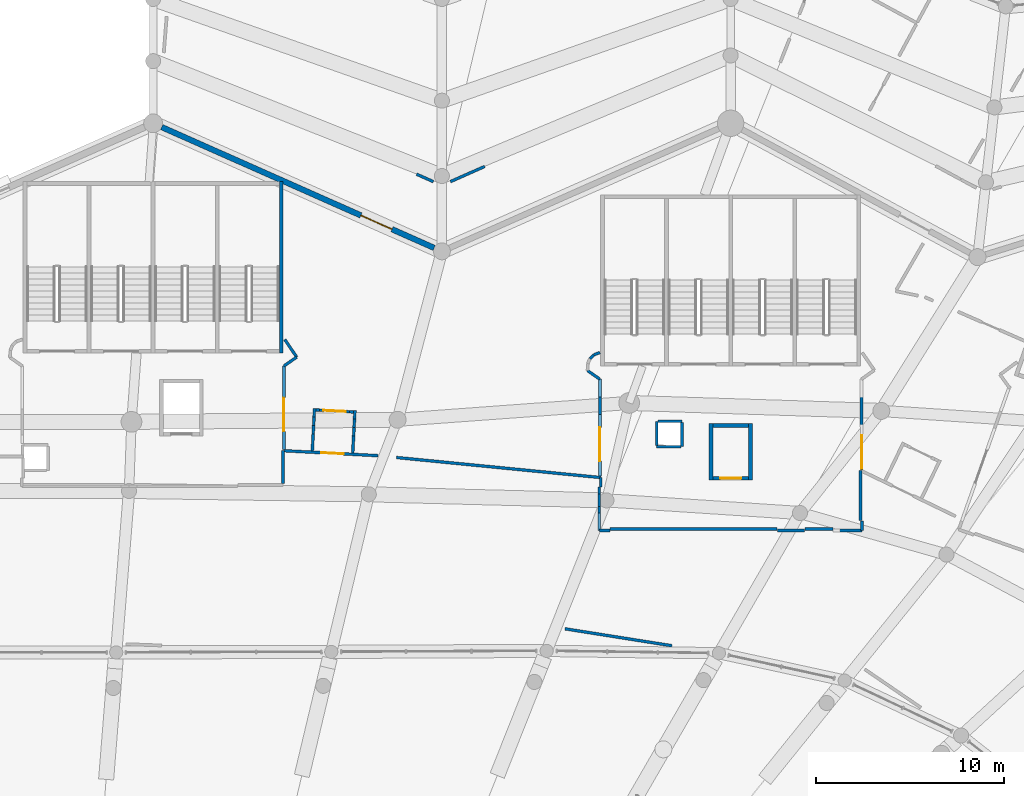
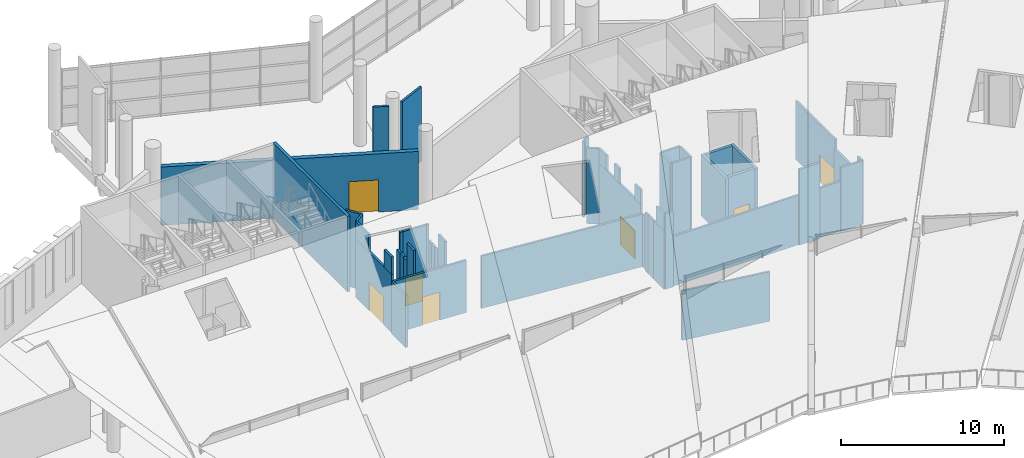
# One storey, part 174 of 249: 52 walls, 7 doors, 7 openings.
"""IFC4 building model written with IfcOpenShell, lengths in metres."""

from ifc_helpers import new_model, si_unit, direction, frame, frame_2d, origin, place, context, subcontext, project, spatial, rectangle, extrude, material, layer, layer_set, type_object, element, fill, save


model = new_model("IFC4")

# Units and contexts
model_context = context("Model", 3, precision=1e-05, world=origin(), true_north=direction((0.0, 1.0)))
body_context = subcontext(model_context, "Body", "Model", "MODEL_VIEW")
ifc_project = project(units=[si_unit("LENGTHUNIT", "METRE"), si_unit("AREAUNIT", "SQUARE_METRE"), si_unit("VOLUMEUNIT", "CUBIC_METRE"), si_unit("PLANEANGLEUNIT", "RADIAN"), si_unit("MASSUNIT", "GRAM", prefix="KILO")], contexts=[model_context])

# Site, building, storey
site_placement = place(None, origin())
site = spatial("IfcSite", under=ifc_project, at=site_placement, CompositionType="ELEMENT")
building_placement = place(site_placement, origin())
building = spatial("IfcBuilding", under=site, at=building_placement, Name="Meseta Stadium", CompositionType="ELEMENT")
storey_placement = place(building_placement, frame((0.0, 0.0, 12.0)))
storey = spatial("IfcBuildingStorey", under=building, at=storey_placement, Name="L02", CompositionType="ELEMENT", Elevation=12.0)

# Walls
ifc_material_1 = material(Name="Concrete C40/50", Category="concrete")
ifc_layer_1 = layer(ifc_material_1, 0.199951171875)
ifc_layer_set_1 = layer_set([ifc_layer_1], Name="Core shaft wall 200")
wall_type_1 = type_object("IfcWallType", Name="Core shaft wall 200", PredefinedType="SHEAR", material=ifc_layer_set_1)
for number, where, z_axis, x_axis, name in (
    (1, (39.38330078125, 89.451171875, 0.0), (0.0, 0.0, 1.0), (0.0, -1.0, 0.0), "Core 09 L02 lift shaft wall left"),
    (2, (37.283203125, 89.451171875, 0.0), (0.0, 0.0, 1.0), (0.0, -1.0, 0.0), "Core 09 L02 lift shaft wall right"),
):
    element("IfcWall", number, at=place(storey_placement, frame(where, z_axis=z_axis, x_axis=x_axis)), inside=storey, type_object=wall_type_1, Name=name, PredefinedType="SHEAR", context=body_context, shape_type="SweptSolid", body=[
        extrude(rectangle(XDim=3.0, YDim=0.199951171875, at=frame_2d((1.5, 0.0))), origin(), (0.0, 0.0, 1.0), 4.60009765625),
    ])
wall_1_placement = place(storey_placement, frame((39.283203125, 89.35107421875, 0.0), z_axis=(0.0, 0.0, 1.0), x_axis=(-1.0, 0.0, 0.0)))
element("IfcWall", 3, at=wall_1_placement, inside=storey, type_object=wall_type_1, Name="Core 09 L02 lift shaft back wall", PredefinedType="SHEAR", context=body_context, shape_type="SweptSolid", body=[
    extrude(rectangle(XDim=1.89990234375, YDim=0.199951171875, at=frame_2d((0.949951171875, 0.0))), origin(), (0.0, 0.0, 1.0), 4.60009765625),
])

# Wall, opening, door
wall_2_placement = place(storey_placement, frame((39.283203125, 86.551025390625, 0.0), z_axis=(0.0, 0.0, 1.0), x_axis=(-1.0, 0.0, 0.0)))
wall_2 = element("IfcWall", 4, at=wall_2_placement, inside=storey, type_object=wall_type_1, Name="Core 09 L02 lift shaft front wall", PredefinedType="SHEAR", context=body_context, shape_type="SweptSolid", body=[
    extrude(rectangle(XDim=1.89990234375, YDim=0.199951171875, at=frame_2d((0.949951171875, 0.0))), origin(), (0.0, 0.0, 1.0), 4.60009765625),
])
opening_1_placement = place(wall_2_placement, frame((0.39990234375, 0.0, 0.0)))
opening_1 = element("IfcOpeningElement", 5, at=opening_1_placement, cuts=wall_2, Name="Opening LD50", PredefinedType="OPENING", context=body_context, shape_type="SweptSolid", body=[
    extrude(rectangle(XDim=1.10009765625, YDim=2.10009765625, at=frame_2d((0.550048828125, 1.050048828125))), frame((0.0, 0.10986328125, 0.0), z_axis=(0.0, -1.0, 0.0), x_axis=(1.0, 0.0, 0.0)), (0.0, 0.0, 1.0), 0.219970703125),
])
ifc_material_2 = material(Name="Steel", Category="steel")
door_type_1 = type_object("IfcDoorType", Name="Lift landing door 1100x2100", OperationType="SLIDING_TO_LEFT", PredefinedType="DOOR", material=ifc_material_2)
door_1_placement = place(opening_1_placement, origin())
door_1 = element("IfcDoor", 6, at=door_1_placement, inside=storey, type_object=door_type_1, Name="Lift landing door LD50", OperationType="SLIDING_TO_RIGHT", OverallHeight=2.10009765625, OverallWidth=1.10009765625, PredefinedType="DOOR", context=body_context, shape_type="SweptSolid", body=[
    extrude(rectangle(XDim=1.10009765625, YDim=2.10009765625, at=frame_2d((0.550048828125, 1.050048828125))), frame((0.0, 0.02490234375, 0.0), z_axis=(0.0, -1.0, 0.0), x_axis=(1.0, 0.0, 0.0)), (0.0, 0.0, 1.0), 0.050048828125),
])
fill(opening_1, door_1)

# Walls
wall_3_placement = place(storey_placement, frame((14.466796875, 102.300048828125, 0.0), z_axis=(0.0, 0.0, 1.0), x_axis=(0.0, -1.0, 0.0)))
element("IfcWall", 7, at=wall_3_placement, inside=storey, type_object=wall_type_1, Name="Core 10 L02 stair wall A-side", PredefinedType="SHEAR", context=body_context, shape_type="SweptSolid", body=[
    extrude(rectangle(XDim=9.10009765625, YDim=0.199951171875, at=frame_2d((4.550048828125, 0.0))), origin(), (0.0, 0.0, 1.0), 5.64990234375),
])
ifc_material_3 = material(Name="Masonry blockwork", Category="masonry")
ifc_layer_2 = layer(ifc_material_3, 0.14990234375)
ifc_layer_set_2 = layer_set([ifc_layer_2], Name="Partition 150")
wall_type_2 = type_object("IfcWallType", Name="Partition 150", PredefinedType="PARTITIONING", material=ifc_layer_set_2)
wall_4_placement = place(storey_placement, frame((35.210693359375, 77.658203125, 0.0), z_axis=(0.0, 0.0, 1.0), x_axis=(-0.987660465211, 0.156610361914, 0.0)))
element("IfcWall", 8, at=wall_4_placement, inside=storey, type_object=wall_type_2, Name="Partition L02 L02-cell07-0-0", PredefinedType="PARTITIONING", context=body_context, shape_type="SweptSolid", body=[
    extrude(rectangle(XDim=5.747802734375, YDim=0.14990234375, at=frame_2d((2.8740234375, 0.0))), origin(), (0.0, 0.0, 1.0), 3.696533203125),
])
wall_5_placement = place(storey_placement, frame((31.92626953125, 83.85107421875, 0.0), z_axis=(0.0, 0.0, 1.0), x_axis=(1.0, 0.0, 0.0)))
element("IfcWall", 9, at=wall_5_placement, inside=storey, type_object=wall_type_2, Name="Partition L02 L02-cell07-0-0", PredefinedType="PARTITIONING", context=body_context, shape_type="SweptSolid", body=[
    extrude(rectangle(XDim=8.871337890625, YDim=0.14990234375, at=frame_2d((4.435546875, 0.0))), origin(), (0.0, 0.0, 1.0), 3.696533203125),
])
wall_6_placement = place(storey_placement, frame((42.276123046875, 83.85107421875, 0.0), z_axis=(0.0, 0.0, 1.0), x_axis=(1.0, 0.0, 0.0)))
element("IfcWall", 10, at=wall_6_placement, inside=storey, type_object=wall_type_2, Name="Partition L02 L02-cell07-0-0", PredefinedType="PARTITIONING", context=body_context, shape_type="SweptSolid", body=[
    extrude(rectangle(XDim=1.478759765625, YDim=0.14990234375, at=frame_2d((0.7392578125, 0.0))), origin(), (0.0, 0.0, 1.0), 3.696533203125),
])
wall_7_placement = place(storey_placement, frame((45.2333984375, 84.29638671875, 0.0), z_axis=(0.0, 0.0, 1.0), x_axis=(0.0, 1.0, 0.0)))
element("IfcWall", 11, at=wall_7_placement, inside=storey, type_object=wall_type_2, Name="Partition L02 L02-cell07-0-0", PredefinedType="PARTITIONING", context=body_context, shape_type="SweptSolid", body=[
    extrude(rectangle(XDim=2.671142578125, YDim=0.14990234375, at=frame_2d((1.33544921875, 0.0))), origin(), (0.0, 0.0, 1.0), 3.696533203125),
])
wall_8_placement = place(storey_placement, frame((14.566650390625, 86.27490234375, 0.0), z_axis=(0.0, 0.0, 1.0), x_axis=(0.0, 1.0, 0.0)))
element("IfcWall", 12, at=wall_8_placement, inside=storey, type_object=wall_type_2, Name="Partition L02 L02-cell08-0-0", PredefinedType="PARTITIONING", context=body_context, shape_type="SweptSolid", body=[
    extrude(rectangle(XDim=1.740966796875, YDim=0.14990234375, at=frame_2d((0.87060546875, 0.0))), origin(), (0.0, 0.0, 1.0), 3.906982421875),
])

# Wall, opening, door
wall_9_placement = place(storey_placement, frame((14.6416015625, 88.01171875, 0.0), z_axis=(0.0, 0.0, 1.0), x_axis=(0.998613893233, -0.052633565738, 0.0)))
wall_9 = element("IfcWall", 13, at=wall_9_placement, inside=storey, type_object=wall_type_2, Name="Partition L02 L02-cell08-0-0", PredefinedType="PARTITIONING", context=body_context, shape_type="SweptSolid", body=[
    extrude(rectangle(XDim=4.972412109375, YDim=0.14990234375, at=frame_2d((2.486328125, 0.0))), origin(), (0.0, 0.0, 1.0), 3.906982421875),
])
opening_2_placement = place(wall_9_placement, frame((1.949951171875, 0.0, 0.0)))
opening_2 = element("IfcOpeningElement", 14, at=opening_2_placement, cuts=wall_9, Name="Opening D1127", PredefinedType="OPENING", context=body_context, shape_type="SweptSolid", body=[
    extrude(rectangle(XDim=1.199951171875, YDim=2.10009765625, at=frame_2d((0.60009765625, 1.050048828125))), frame((0.0, 0.0849609375, 0.0), z_axis=(0.0, -1.0, 0.0), x_axis=(1.0, 0.0, 0.0)), (0.0, 0.0, 1.0), 0.169921875),
])
ifc_material_4 = material(Name="Steel", Category="steel")
door_type_2 = type_object("IfcDoorType", Name="Fire door 1200x2100 EI2 60", OperationType="NOTDEFINED", PredefinedType="DOOR", material=ifc_material_4)
door_2_placement = place(opening_2_placement, origin())
door_2 = element("IfcDoor", 15, at=door_2_placement, inside=storey, type_object=door_type_2, Name="Room door L02 L02-cell08-0-0", OperationType="SINGLE_SWING_RIGHT", OverallHeight=2.10009765625, OverallWidth=1.199951171875, PredefinedType="DOOR", context=body_context, shape_type="SweptSolid", body=[
    extrude(rectangle(XDim=1.199951171875, YDim=2.10009765625, at=frame_2d((0.60009765625, 1.050048828125))), frame((0.0, 0.02490234375, 0.0), z_axis=(0.0, -1.0, 0.0), x_axis=(1.0, 0.0, 0.0)), (0.0, 0.0, 1.0), 0.050048828125),
])
fill(opening_2, door_2)

# Walls
wall_10_placement = place(storey_placement, frame((20.5927734375, 87.6533203125, 0.0), z_axis=(0.0, 0.0, 1.0), x_axis=(0.995211610703, -0.097743797362, 0.0)))
element("IfcWall", 16, at=wall_10_placement, inside=storey, type_object=wall_type_2, Name="Partition L02 L02-cell08-0-0", PredefinedType="PARTITIONING", context=body_context, shape_type="SweptSolid", body=[
    extrude(rectangle(XDim=10.892822265625, YDim=0.14990234375, at=frame_2d((5.4462890625, 0.0))), origin(), (0.0, 0.0, 1.0), 3.906982421875),
])
wall_11_placement = place(storey_placement, frame((31.433349609375, 86.588623046875, 0.0), z_axis=(0.0, 0.0, 1.0), x_axis=(0.0, -1.0, 0.0)))
element("IfcWall", 17, at=wall_11_placement, inside=storey, type_object=wall_type_2, Name="Partition L02 L02-cell08-0-0", PredefinedType="PARTITIONING", context=body_context, shape_type="SweptSolid", body=[
    extrude(rectangle(XDim=0.48974609375, YDim=0.14990234375, at=frame_2d((0.244873046875, 0.0))), origin(), (0.0, 0.0, 1.0), 3.906982421875),
])
wall_12_placement = place(storey_placement, frame((25.275634765625, 103.10986328125, 0.0), z_axis=(0.0, 0.0, 1.0), x_axis=(-0.914139836341, -0.405399012844, 0.0)))
element("IfcWall", 18, at=wall_12_placement, inside=storey, type_object=wall_type_2, Name="Partition L02 L02-ring08-0", PredefinedType="PARTITIONING", context=body_context, shape_type="SweptSolid", body=[
    extrude(rectangle(XDim=1.991455078125, YDim=0.14990234375, at=frame_2d((0.99560546875, 0.0))), origin(), (0.0, 0.0, 1.0), 5.550048828125),
])
wall_13_placement = place(storey_placement, frame((22.551513671875, 102.299560546875, 0.0), z_axis=(0.0, 0.0, 1.0), x_axis=(-0.914119005748, 0.405445980781, 0.0)))
element("IfcWall", 19, at=wall_13_placement, inside=storey, type_object=wall_type_2, Name="Partition L02 L02-ring08-0", PredefinedType="PARTITIONING", context=body_context, shape_type="SweptSolid", body=[
    extrude(rectangle(XDim=0.9814453125, YDim=0.14990234375, at=frame_2d((0.49072265625, 0.0))), origin(), (0.0, 0.0, 1.0), 5.550048828125),
])
wall_14_placement = place(storey_placement, frame((35.75830078125, 89.576171875, 0.0), z_axis=(0.0, 0.0, 1.0), x_axis=(-1.0, 0.0, 0.0)))
element("IfcWall", 20, at=wall_14_placement, inside=storey, type_object=wall_type_2, Name="Pressurisation shaft wall L02 core 09", PredefinedType="PARTITIONING", context=body_context, shape_type="SweptSolid", body=[
    extrude(rectangle(XDim=1.27490234375, YDim=0.14990234375, at=frame_2d((0.637451171875, 0.0))), origin(), (0.0, 0.0, 1.0), 5.64990234375),
])
for number, where, z_axis, x_axis, name in (
    (21, (34.408203125, 89.576171875, 0.0), (0.0, 0.0, 1.0), (0.0, -1.0, 0.0), "Pressurisation shaft wall L02 core 09"),
    (22, (34.408203125, 88.22607421875, 0.0), (0.0, 0.0, 1.0), (1.0, 0.0, 0.0), "Pressurisation shaft wall L02 core 09"),
    (23, (35.75830078125, 88.22607421875, 0.0), (0.0, 0.0, 1.0), (0.0, 1.0, 0.0), "Pressurisation shaft wall L02 core 09"),
):
    element("IfcWall", number, at=place(storey_placement, frame(where, z_axis=z_axis, x_axis=x_axis)), inside=storey, type_object=wall_type_2, Name=name, PredefinedType="PARTITIONING", context=body_context, shape_type="SweptSolid", body=[
        extrude(rectangle(XDim=1.275146484375, YDim=0.14990234375, at=frame_2d((0.6376953125, 0.0))), origin(), (0.0, 0.0, 1.0), 5.64990234375),
    ])
wall_15_placement = place(storey_placement, frame((31.394775390625, 93.228759765625, 0.0), z_axis=(0.0, 0.0, 1.0), x_axis=(-0.937674325327, -0.347515265308, 0.0)))
element("IfcWall", 24, at=wall_15_placement, inside=storey, type_object=wall_type_2, Name="Stair vestibule wall L02 core 09", PredefinedType="PARTITIONING", context=body_context, shape_type="SweptSolid", body=[
    extrude(rectangle(XDim=0.356201171875, YDim=0.14990234375, at=frame_2d((0.17822265625, 0.0))), origin(), (0.0, 0.0, 1.0), 5.64990234375),
])
wall_16_placement = place(storey_placement, frame((31.060791015625, 93.10498046875, 0.0), z_axis=(0.0, 0.0, 1.0), x_axis=(-0.707534941396, -0.706678361564, 0.0)))
element("IfcWall", 25, at=wall_16_placement, inside=storey, type_object=wall_type_2, Name="Stair vestibule wall L02 core 09", PredefinedType="PARTITIONING", context=body_context, shape_type="SweptSolid", body=[
    extrude(rectangle(XDim=0.284912109375, YDim=0.14990234375, at=frame_2d((0.142578125, 0.0))), origin(), (0.0, 0.0, 1.0), 5.64990234375),
])
wall_17_placement = place(storey_placement, frame((30.73681640625, 92.267822265625, 0.0), z_axis=(0.0, 0.0, 1.0), x_axis=(0.817731616096, -0.57559969079, 0.0)))
element("IfcWall", 26, at=wall_17_placement, inside=storey, type_object=wall_type_2, Name="Stair vestibule wall L02 core 09", PredefinedType="PARTITIONING", context=body_context, shape_type="SweptSolid", body=[
    extrude(rectangle(XDim=0.796630859375, YDim=0.14990234375, at=frame_2d((0.3984375, 0.0))), origin(), (0.0, 0.0, 1.0), 5.64990234375),
])

# Wall, opening, door
wall_18_placement = place(storey_placement, frame((31.38818359375, 91.809326171875, 0.0), z_axis=(0.0, 0.0, 1.0), x_axis=(0.0, -1.0, 0.0)))
wall_18 = element("IfcWall", 27, at=wall_18_placement, inside=storey, type_object=wall_type_2, Name="Stair vestibule wall L02 core 09", PredefinedType="PARTITIONING", context=body_context, shape_type="SweptSolid", body=[
    extrude(rectangle(XDim=5.132568359375, YDim=0.14990234375, at=frame_2d((2.56640625, 0.0))), origin(), (0.0, 0.0, 1.0), 4.550048828125),
])
opening_3_placement = place(wall_18_placement, frame((2.550048828125, 0.0, 0.0)))
opening_3 = element("IfcOpeningElement", 28, at=opening_3_placement, cuts=wall_18, Name="Opening D1137", PredefinedType="OPENING", context=body_context, shape_type="SweptSolid", body=[
    extrude(rectangle(XDim=1.800048828125, YDim=2.10009765625, at=frame_2d((0.89990234375, 1.050048828125))), frame((0.0, 0.0849609375, 0.0), z_axis=(0.0, -1.0, 0.0), x_axis=(1.0, 0.0, 0.0)), (0.0, 0.0, 1.0), 0.169921875),
])
ifc_material_5 = material(Name="Steel", Category="steel")
door_type_3 = type_object("IfcDoorType", Name="Fire double door 1800x2100 EI2 60", OperationType="DOUBLE_DOOR_SINGLE_SWING", PredefinedType="DOOR", material=ifc_material_5)
door_3_placement = place(opening_3_placement, origin())
door_3 = element("IfcDoor", 29, at=door_3_placement, inside=storey, type_object=door_type_3, Name="Stair vestibule door L02 core 09", OperationType="DOUBLE_DOOR_SINGLE_SWING", OverallHeight=2.10009765625, OverallWidth=1.800048828125, PredefinedType="DOOR", context=body_context, shape_type="SweptSolid", body=[
    extrude(rectangle(XDim=1.800048828125, YDim=2.10009765625, at=frame_2d((0.89990234375, 1.050048828125))), frame((0.0, 0.02490234375, 0.0), z_axis=(0.0, -1.0, 0.0), x_axis=(1.0, 0.0, 0.0)), (0.0, 0.0, 1.0), 0.050048828125),
])
fill(opening_3, door_3)

# Walls
wall_19_placement = place(storey_placement, frame((31.38818359375, 91.809326171875, 4.550048828125), z_axis=(0.0, 0.0, 1.0), x_axis=(0.0, -1.0, 0.0)))
element("IfcWall", 30, at=wall_19_placement, inside=storey, type_object=wall_type_2, Name="Stair vestibule wall L02 core 09", PredefinedType="PARTITIONING", context=body_context, shape_type="SweptSolid", body=[
    extrude(rectangle(XDim=0.934814453125, YDim=0.14990234375, at=frame_2d((0.46728515625, 0.0))), origin(), (0.0, 0.0, 1.0), 1.099853515625),
])
wall_20_placement = place(storey_placement, frame((31.38818359375, 87.4091796875, 4.550048828125), z_axis=(0.0, 0.0, 1.0), x_axis=(0.0, -1.0, 0.0)))
element("IfcWall", 31, at=wall_20_placement, inside=storey, type_object=wall_type_2, Name="Stair vestibule wall L02 core 09", PredefinedType="PARTITIONING", context=body_context, shape_type="SweptSolid", body=[
    extrude(rectangle(XDim=0.732421875, YDim=0.14990234375, at=frame_2d((0.3662109375, 0.0))), origin(), (0.0, 0.0, 1.0), 1.099853515625),
])
wall_21_placement = place(storey_placement, frame((31.3583984375, 86.0888671875, 0.0), z_axis=(0.0, 0.0, 1.0), x_axis=(0.0, -1.0, 0.0)))
element("IfcWall", 32, at=wall_21_placement, inside=storey, type_object=wall_type_2, Name="Stair vestibule wall L02 core 09", PredefinedType="PARTITIONING", context=body_context, shape_type="SweptSolid", body=[
    extrude(rectangle(XDim=0.379638671875, YDim=0.14990234375, at=frame_2d((0.18994140625, 0.0))), origin(), (0.0, 0.0, 1.0), 4.35009765625),
])
wall_22_placement = place(storey_placement, frame((31.3583984375, 85.044189453125, 0.0), z_axis=(0.0, 0.0, 1.0), x_axis=(0.0, -1.0, 0.0)))
element("IfcWall", 33, at=wall_22_placement, inside=storey, type_object=wall_type_2, Name="Stair vestibule wall L02 core 09", PredefinedType="PARTITIONING", context=body_context, shape_type="SweptSolid", body=[
    extrude(rectangle(XDim=1.26806640625, YDim=0.14990234375, at=frame_2d((0.634033203125, 0.0))), origin(), (0.0, 0.0, 1.0), 4.35009765625),
])
wall_23_placement = place(storey_placement, frame((31.3583984375, 84.701171875, 4.35009765625), z_axis=(0.0, 0.0, 1.0), x_axis=(0.0, -1.0, 0.0)))
element("IfcWall", 34, at=wall_23_placement, inside=storey, type_object=wall_type_2, Name="Stair vestibule wall L02 core 09", PredefinedType="PARTITIONING", context=body_context, shape_type="SweptSolid", body=[
    extrude(rectangle(XDim=0.925048828125, YDim=0.14990234375, at=frame_2d((0.46240234375, 0.0))), origin(), (0.0, 0.0, 1.0), 1.2998046875),
])
wall_24_placement = place(storey_placement, frame((31.3583984375, 83.776123046875, 0.0), z_axis=(0.0, 0.0, 1.0), x_axis=(1.0, 0.0, 0.0)))
element("IfcWall", 35, at=wall_24_placement, inside=storey, type_object=wall_type_2, Name="Stair vestibule wall L02 core 09", PredefinedType="PARTITIONING", context=body_context, shape_type="SweptSolid", body=[
    extrude(rectangle(XDim=0.557861328125, YDim=0.14990234375, at=frame_2d((0.27880859375, 0.0))), origin(), (0.0, 0.0, 1.0), 5.64990234375),
])
wall_25_placement = place(storey_placement, frame((40.8076171875, 83.776123046875, 0.0), z_axis=(0.0, 0.0, 1.0), x_axis=(1.0, 0.0, 0.0)))
element("IfcWall", 36, at=wall_25_placement, inside=storey, type_object=wall_type_2, Name="Stair vestibule wall L02 core 09", PredefinedType="PARTITIONING", context=body_context, shape_type="SweptSolid", body=[
    extrude(rectangle(XDim=1.45849609375, YDim=0.14990234375, at=frame_2d((0.729248046875, 0.0))), origin(), (0.0, 0.0, 1.0), 5.64990234375),
])
wall_26_placement = place(storey_placement, frame((43.764892578125, 83.776123046875, 0.0), z_axis=(0.0, 0.0, 1.0), x_axis=(1.0, 0.0, 0.0)))
element("IfcWall", 37, at=wall_26_placement, inside=storey, type_object=wall_type_2, Name="Stair vestibule wall L02 core 09", PredefinedType="PARTITIONING", context=body_context, shape_type="SweptSolid", body=[
    extrude(rectangle(XDim=1.543701171875, YDim=0.14990234375, at=frame_2d((0.77197265625, 0.0))), origin(), (0.0, 0.0, 1.0), 4.75),
])
wall_27_placement = place(storey_placement, frame((45.30859375, 83.776123046875, 0.0), z_axis=(0.0, 0.0, 1.0), x_axis=(-0.003347661777, 0.999994396565, 0.0)))
element("IfcWall", 38, at=wall_27_placement, inside=storey, type_object=wall_type_2, Name="Stair vestibule wall L02 core 09", PredefinedType="PARTITIONING", context=body_context, shape_type="SweptSolid", body=[
    extrude(rectangle(XDim=0.510498046875, YDim=0.14990234375, at=frame_2d((0.25537109375, 0.0))), origin(), (0.0, 0.0, 1.0), 4.75),
])

# Wall, opening, door
wall_28_placement = place(storey_placement, frame((45.297607421875, 86.999755859375, 0.0), z_axis=(0.0, 0.0, 1.0), x_axis=(-0.003451580881, 0.999994043277, 0.0)))
wall_28 = element("IfcWall", 39, at=wall_28_placement, inside=storey, type_object=wall_type_2, Name="Stair vestibule wall L02 core 09", PredefinedType="PARTITIONING", context=body_context, shape_type="SweptSolid", body=[
    extrude(rectangle(XDim=4.809814453125, YDim=0.14990234375, at=frame_2d((2.40478515625, 0.0))), origin(), (0.0, 0.0, 1.0), 4.35009765625),
])
opening_4_placement = place(wall_28_placement, frame((0.050048828125, 0.0, 0.0)))
opening_4 = element("IfcOpeningElement", 40, at=opening_4_placement, cuts=wall_28, Name="Opening D1150", PredefinedType="OPENING", context=body_context, shape_type="SweptSolid", body=[
    extrude(rectangle(XDim=1.800048828125, YDim=2.10009765625, at=frame_2d((0.89990234375, 1.050048828125))), frame((0.0, 0.0849609375, 0.0), z_axis=(0.0, -1.0, 0.0), x_axis=(1.0, 0.0, 0.0)), (0.0, 0.0, 1.0), 0.169921875),
])
door_4_placement = place(opening_4_placement, origin())
door_4 = element("IfcDoor", 41, at=door_4_placement, inside=storey, type_object=door_type_3, Name="Stair vestibule door L02 core 09", OperationType="DOUBLE_DOOR_SINGLE_SWING", OverallHeight=2.10009765625, OverallWidth=1.800048828125, PredefinedType="DOOR", context=body_context, shape_type="SweptSolid", body=[
    extrude(rectangle(XDim=1.800048828125, YDim=2.10009765625, at=frame_2d((0.89990234375, 1.050048828125))), frame((0.0, 0.02490234375, 0.0), z_axis=(0.0, -1.0, 0.0), x_axis=(1.0, 0.0, 0.0)), (0.0, 0.0, 1.0), 0.050048828125),
])
fill(opening_4, door_4)

# Wall
wall_29_placement = place(storey_placement, frame((31.3583984375, 85.709228515625, 0.0), z_axis=(0.0, 0.0, 1.0), x_axis=(0.0, -1.0, 0.0)))
element("IfcWall", 42, at=wall_29_placement, inside=storey, type_object=wall_type_2, Name="Stair vestibule wall L02 core 09", PredefinedType="PARTITIONING", context=body_context, shape_type="SweptSolid", body=[
    extrude(rectangle(XDim=0.6650390625, YDim=0.14990234375, at=frame_2d((0.33251953125, 0.0))), origin(), (0.0, 0.0, 1.0), 4.35009765625),
])

# Wall, opening, door
wall_30_placement = place(storey_placement, frame((14.61181640625, 88.087646484375, 0.0), z_axis=(0.0, 0.0, 1.0), x_axis=(0.0, 1.0, 0.0)))
wall_30 = element("IfcWall", 43, at=wall_30_placement, inside=storey, type_object=wall_type_2, Name="Stair vestibule wall L02 core 10", PredefinedType="PARTITIONING", context=body_context, shape_type="SweptSolid", body=[
    extrude(rectangle(XDim=4.421630859375, YDim=0.14990234375, at=frame_2d((2.2109375, 0.0))), origin(), (0.0, 0.0, 1.0), 4.35009765625),
])
opening_5_placement = place(wall_30_placement, frame((0.949951171875, 0.0, 0.0)))
opening_5 = element("IfcOpeningElement", 44, at=opening_5_placement, cuts=wall_30, Name="Opening D1126", PredefinedType="OPENING", context=body_context, shape_type="SweptSolid", body=[
    extrude(rectangle(XDim=1.800048828125, YDim=2.10009765625, at=frame_2d((0.89990234375, 1.050048828125))), frame((0.0, 0.0849609375, 0.0), z_axis=(0.0, -1.0, 0.0), x_axis=(1.0, 0.0, 0.0)), (0.0, 0.0, 1.0), 0.169921875),
])
door_5_placement = place(opening_5_placement, origin())
door_5 = element("IfcDoor", 45, at=door_5_placement, inside=storey, type_object=door_type_3, Name="Stair vestibule door L02 core 10", OperationType="DOUBLE_DOOR_SINGLE_SWING", OverallHeight=2.10009765625, OverallWidth=1.800048828125, PredefinedType="DOOR", context=body_context, shape_type="SweptSolid", body=[
    extrude(rectangle(XDim=1.800048828125, YDim=2.10009765625, at=frame_2d((0.89990234375, 1.050048828125))), frame((0.0, 0.02490234375, 0.0), z_axis=(0.0, -1.0, 0.0), x_axis=(1.0, 0.0, 0.0)), (0.0, 0.0, 1.0), 0.050048828125),
])
fill(opening_5, door_5)

# Walls
wall_31_placement = place(storey_placement, frame((14.61181640625, 88.087646484375, 4.35009765625), z_axis=(0.0, 0.0, 1.0), x_axis=(0.0, 1.0, 0.0)))
element("IfcWall", 46, at=wall_31_placement, inside=storey, type_object=wall_type_2, Name="Stair vestibule wall L02 core 10", PredefinedType="PARTITIONING", context=body_context, shape_type="SweptSolid", body=[
    extrude(rectangle(XDim=0.9345703125, YDim=0.14990234375, at=frame_2d((0.46728515625, 0.0))), origin(), (0.0, 0.0, 1.0), 1.2998046875),
])
wall_32_placement = place(storey_placement, frame((14.61181640625, 90.8876953125, 4.35009765625), z_axis=(0.0, 0.0, 1.0), x_axis=(0.0, 1.0, 0.0)))
element("IfcWall", 47, at=wall_32_placement, inside=storey, type_object=wall_type_2, Name="Stair vestibule wall L02 core 10", PredefinedType="PARTITIONING", context=body_context, shape_type="SweptSolid", body=[
    extrude(rectangle(XDim=1.62158203125, YDim=0.14990234375, at=frame_2d((0.810791015625, 0.0))), origin(), (0.0, 0.0, 1.0), 1.2998046875),
])
wall_33_placement = place(storey_placement, frame((14.61181640625, 92.50927734375, 0.0), z_axis=(0.0, 0.0, 1.0), x_axis=(0.81774999294, 0.575573582652, 0.0)))
element("IfcWall", 48, at=wall_33_placement, inside=storey, type_object=wall_type_2, Name="Stair vestibule wall L02 core 10", PredefinedType="PARTITIONING", context=body_context, shape_type="SweptSolid", body=[
    extrude(rectangle(XDim=0.82958984375, YDim=0.14990234375, at=frame_2d((0.414794921875, 0.0))), origin(), (0.0, 0.0, 1.0), 5.64990234375),
])
wall_34_placement = place(storey_placement, frame((15.290283203125, 92.98681640625, 0.0), z_axis=(0.0, 0.0, 1.0), x_axis=(-0.562120553728, 0.827055308354, 0.0)))
element("IfcWall", 49, at=wall_34_placement, inside=storey, type_object=wall_type_2, Name="Stair vestibule wall L02 core 10", PredefinedType="PARTITIONING", context=body_context, shape_type="SweptSolid", body=[
    extrude(rectangle(XDim=1.1279296875, YDim=0.14990234375, at=frame_2d((0.56396484375, 0.0))), origin(), (0.0, 0.0, 1.0), 5.64990234375),
])
wall_35_placement = place(storey_placement, frame((16.11865234375, 88.009033203125, 0.0), z_axis=(0.0, 0.0, 1.0), x_axis=(0.052630027564, 0.998614079712, 0.0)))
element("IfcWall", 50, at=wall_35_placement, inside=storey, type_object=wall_type_2, Name="Partition L02 L02-cell08-0-0 vestibule", PredefinedType="PARTITIONING", context=body_context, shape_type="SweptSolid", body=[
    extrude(rectangle(XDim=0.89990234375, YDim=0.14990234375, at=frame_2d((0.449951171875, 0.0))), origin(), (0.0, 0.0, 1.0), 5.64990234375),
])
wall_36_placement = place(storey_placement, frame((16.166015625, 88.90771484375, 0.0), z_axis=(0.0, 0.0, 1.0), x_axis=(0.052615773272, 0.998614830855, 0.0)))
element("IfcWall", 51, at=wall_36_placement, inside=storey, type_object=wall_type_2, Name="Partition L02 L02-cell08-0-0 vestibule", PredefinedType="PARTITIONING", context=body_context, shape_type="SweptSolid", body=[
    extrude(rectangle(XDim=0.4501953125, YDim=0.14990234375, at=frame_2d((0.22509765625, 0.0))), origin(), (0.0, 0.0, 1.0), 4.35009765625),
])
wall_37_placement = place(storey_placement, frame((16.189697265625, 89.357177734375, 0.0), z_axis=(0.0, 0.0, 1.0), x_axis=(0.052644289572, 0.998613327958, 0.0)))
element("IfcWall", 52, at=wall_37_placement, inside=storey, type_object=wall_type_2, Name="Partition L02 L02-cell08-0-0 vestibule", PredefinedType="PARTITIONING", context=body_context, shape_type="SweptSolid", body=[
    extrude(rectangle(XDim=0.449951171875, YDim=0.14990234375, at=frame_2d((0.22509765625, 0.0))), origin(), (0.0, 0.0, 1.0), 4.35009765625),
])
wall_38_placement = place(storey_placement, frame((16.21337890625, 89.806396484375, 0.0), z_axis=(0.0, 0.0, 1.0), x_axis=(0.052615773272, 0.998614830855, 0.0)))
element("IfcWall", 53, at=wall_38_placement, inside=storey, type_object=wall_type_2, Name="Partition L02 L02-cell08-0-0 vestibule", PredefinedType="PARTITIONING", context=body_context, shape_type="SweptSolid", body=[
    extrude(rectangle(XDim=0.4501953125, YDim=0.14990234375, at=frame_2d((0.22509765625, 0.0))), origin(), (0.0, 0.0, 1.0), 4.35009765625),
])
wall_39_placement = place(storey_placement, frame((18.265625, 87.895751953125, 0.0), z_axis=(0.0, 0.0, 1.0), x_axis=(0.052615773272, 0.998614830855, 0.0)))
element("IfcWall", 54, at=wall_39_placement, inside=storey, type_object=wall_type_2, Name="Partition L02 L02-cell08-0-0 vestibule", PredefinedType="PARTITIONING", context=body_context, shape_type="SweptSolid", body=[
    extrude(rectangle(XDim=0.900146484375, YDim=0.14990234375, at=frame_2d((0.4501953125, 0.0))), origin(), (0.0, 0.0, 1.0), 5.64990234375),
])
wall_40_placement = place(storey_placement, frame((18.31298828125, 88.794677734375, 0.0), z_axis=(0.0, 0.0, 1.0), x_axis=(0.052644289572, 0.998613327958, 0.0)))
element("IfcWall", 55, at=wall_40_placement, inside=storey, type_object=wall_type_2, Name="Partition L02 L02-cell08-0-0 vestibule", PredefinedType="PARTITIONING", context=body_context, shape_type="SweptSolid", body=[
    extrude(rectangle(XDim=0.449951171875, YDim=0.14990234375, at=frame_2d((0.22509765625, 0.0))), origin(), (0.0, 0.0, 1.0), 4.35009765625),
])
wall_41_placement = place(storey_placement, frame((18.336669921875, 89.243896484375, 0.0), z_axis=(0.0, 0.0, 1.0), x_axis=(0.052615773272, 0.998614830855, 0.0)))
element("IfcWall", 56, at=wall_41_placement, inside=storey, type_object=wall_type_2, Name="Partition L02 L02-cell08-0-0 vestibule", PredefinedType="PARTITIONING", context=body_context, shape_type="SweptSolid", body=[
    extrude(rectangle(XDim=0.4501953125, YDim=0.14990234375, at=frame_2d((0.22509765625, 0.0))), origin(), (0.0, 0.0, 1.0), 4.35009765625),
])
wall_42_placement = place(storey_placement, frame((18.3603515625, 89.693359375, 0.0), z_axis=(0.0, 0.0, 1.0), x_axis=(0.052644289572, 0.998613327958, 0.0)))
element("IfcWall", 57, at=wall_42_placement, inside=storey, type_object=wall_type_2, Name="Partition L02 L02-cell08-0-0 vestibule", PredefinedType="PARTITIONING", context=body_context, shape_type="SweptSolid", body=[
    extrude(rectangle(XDim=0.449951171875, YDim=0.14990234375, at=frame_2d((0.22509765625, 0.0))), origin(), (0.0, 0.0, 1.0), 4.35009765625),
])
wall_43_placement = place(storey_placement, frame((16.30810546875, 90.177001953125, 0.0), z_axis=(0.0, 0.0, 1.0), x_axis=(0.998621199675, -0.05249475744, 0.0)))
element("IfcWall", 58, at=wall_43_placement, inside=storey, type_object=wall_type_2, Name="Partition L02 L02-cell08-0-0 vestibule", PredefinedType="PARTITIONING", context=body_context, shape_type="SweptSolid", body=[
    extrude(rectangle(XDim=0.199951171875, YDim=0.14990234375, at=frame_2d((0.10009765625, 0.0))), origin(), (0.0, 0.0, 1.0), 5.64990234375),
])

# Wall, opening, door
wall_44_placement = place(storey_placement, frame((16.5078125, 90.16650390625, 0.0), z_axis=(0.0, 0.0, 1.0), x_axis=(0.998613188435, -0.052646936126, 0.0)))
wall_44 = element("IfcWall", 59, at=wall_44_placement, inside=storey, type_object=wall_type_2, Name="Partition L02 L02-cell08-0-0 vestibule", PredefinedType="PARTITIONING", context=body_context, shape_type="SweptSolid", body=[
    extrude(rectangle(XDim=1.599853515625, YDim=0.14990234375, at=frame_2d((0.7998046875, 0.0))), origin(), (0.0, 0.0, 1.0), 5.64990234375),
])
opening_6_placement = place(wall_44_placement, frame((0.199951171875, 0.0, 0.0)))
opening_6 = element("IfcOpeningElement", 60, at=opening_6_placement, cuts=wall_44, Name="Opening D1128", PredefinedType="OPENING", context=body_context, shape_type="SweptSolid", body=[
    extrude(rectangle(XDim=1.199951171875, YDim=2.10009765625, at=frame_2d((0.60009765625, 1.050048828125))), frame((0.0, 0.0849609375, 0.0), z_axis=(0.0, -1.0, 0.0), x_axis=(1.0, 0.0, 0.0)), (0.0, 0.0, 1.0), 0.169921875),
])
door_6_placement = place(opening_6_placement, origin())
door_6 = element("IfcDoor", 61, at=door_6_placement, inside=storey, type_object=door_type_2, Name="Vestibule door L02 L02-cell08-0-0", OperationType="SINGLE_SWING_LEFT", OverallHeight=2.10009765625, OverallWidth=1.199951171875, PredefinedType="DOOR", context=body_context, shape_type="SweptSolid", body=[
    extrude(rectangle(XDim=1.199951171875, YDim=2.10009765625, at=frame_2d((0.60009765625, 1.050048828125))), frame((0.0, 0.02490234375, 0.0), z_axis=(0.0, -1.0, 0.0), x_axis=(1.0, 0.0, 0.0)), (0.0, 0.0, 1.0), 0.050048828125),
])
fill(opening_6, door_6)

# Walls
wall_45_placement = place(storey_placement, frame((18.10546875, 90.082275390625, 0.0), z_axis=(0.0, 0.0, 1.0), x_axis=(0.998621199675, -0.05249475744, 0.0)))
element("IfcWall", 62, at=wall_45_placement, inside=storey, type_object=wall_type_2, Name="Partition L02 L02-cell08-0-0 vestibule", PredefinedType="PARTITIONING", context=body_context, shape_type="SweptSolid", body=[
    extrude(rectangle(XDim=0.199951171875, YDim=0.14990234375, at=frame_2d((0.10009765625, 0.0))), origin(), (0.0, 0.0, 1.0), 5.64990234375),
])
wall_46_placement = place(storey_placement, frame((31.38818359375, 89.939697265625, 4.550048828125), z_axis=(0.0, 0.0, 1.0), x_axis=(0.0, -1.0, 0.0)))
element("IfcWall", 63, at=wall_46_placement, inside=storey, type_object=wall_type_2, Name="Stair vestibule wall L02 core 09", PredefinedType="PARTITIONING", context=body_context, shape_type="SweptSolid", body=[
    extrude(rectangle(XDim=0.63037109375, YDim=0.14990234375, at=frame_2d((0.315185546875, 0.0))), origin(), (0.0, 0.0, 1.0), 1.099853515625),
])

# Wall, opening, door
ifc_material_6 = material(Name="White precast concrete C40/50", Category="concrete")
ifc_layer_3 = layer(ifc_material_6, 0.300048828125)
ifc_layer_set_3 = layer_set([ifc_layer_3], Name="Pleated panel wall 300 concourse")
wall_type_3 = type_object("IfcWallType", Name="Pleated panel wall 300 concourse", PredefinedType="SOLIDWALL", material=ifc_layer_set_3)
wall_47_placement = place(storey_placement, frame((8.123291015625, 105.197509765625, 0.0), z_axis=(0.0, 0.0, 1.0), x_axis=(0.914138897099, -0.405401130748, 0.0)))
wall_47 = element("IfcWall", 64, at=wall_47_placement, inside=storey, type_object=wall_type_3, Name="Pleated facade panel L02 F17", PredefinedType="SOLIDWALL", context=body_context, shape_type="SweptSolid", body=[
    extrude(rectangle(XDim=15.824462890625, YDim=0.300048828125, at=frame_2d((7.912109375, 0.0))), origin(), (0.0, 0.0, 1.0), 4.35009765625),
])
opening_7_placement = place(wall_47_placement, frame((11.573974609375, 0.0, 0.0)))
opening_7 = element("IfcOpeningElement", 65, at=opening_7_placement, cuts=wall_47, Name="Opening D1131", PredefinedType="OPENING", context=body_context, shape_type="SweptSolid", body=[
    extrude(rectangle(XDim=1.800048828125, YDim=2.39990234375, at=frame_2d((0.89990234375, 1.199951171875))), frame((0.0, 0.159912109375, 0.0), z_axis=(0.0, -1.0, 0.0), x_axis=(1.0, 0.0, 0.0)), (0.0, 0.0, 1.0), 0.320068359375),
])
ifc_material_7 = material(Name="Steel", Category="steel")
door_type_4 = type_object("IfcDoorType", Name="Concourse double door 1800x2400", OperationType="DOUBLE_DOOR_SINGLE_SWING", PredefinedType="DOOR", material=ifc_material_7)
door_7_placement = place(opening_7_placement, origin())
door_7 = element("IfcDoor", 66, at=door_7_placement, inside=storey, type_object=door_type_4, Name="Concourse door", OperationType="DOUBLE_DOOR_SINGLE_SWING", OverallHeight=2.39990234375, OverallWidth=1.800048828125, PredefinedType="DOOR", context=body_context, shape_type="SweptSolid", body=[
    extrude(rectangle(XDim=1.800048828125, YDim=2.39990234375, at=frame_2d((0.89990234375, 1.199951171875))), frame((0.0, 0.02490234375, 0.0), z_axis=(0.0, -1.0, 0.0), x_axis=(1.0, 0.0, 0.0)), (0.0, 0.0, 1.0), 0.050048828125),
])
fill(opening_7, door_7)

save(model, "model.ifc")
